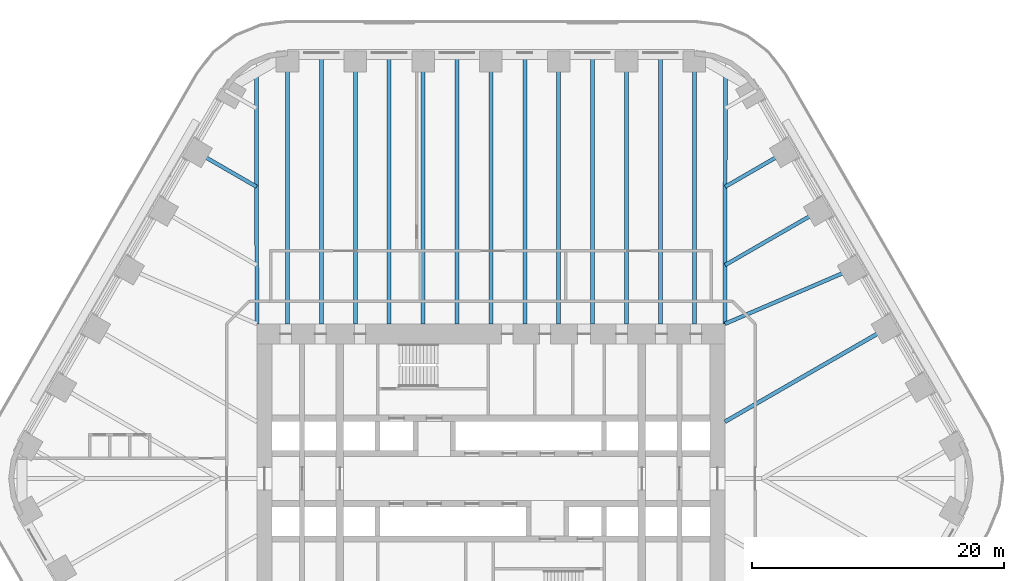
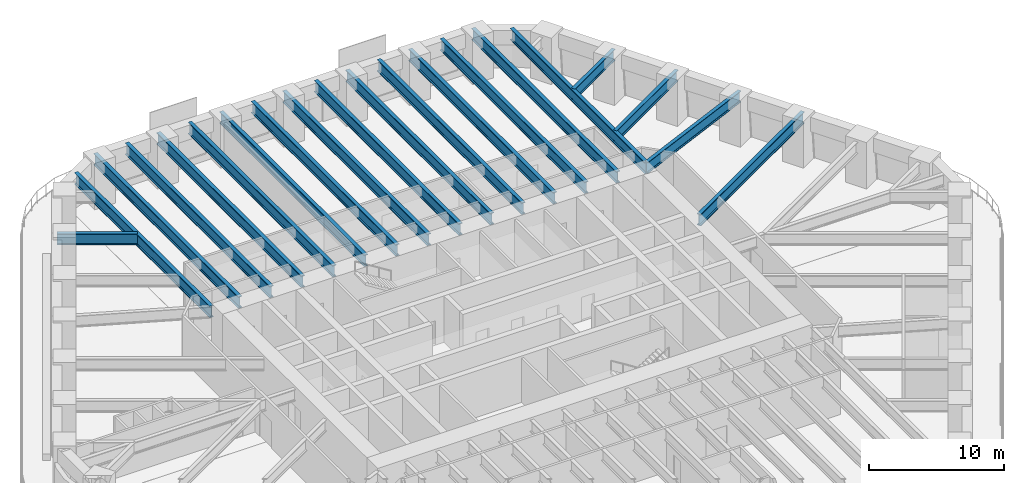
# One storey, part 10 of 23: 20 beams.
"""IFC4 building model written with IfcOpenShell, lengths in metres."""

from ifc_helpers import new_model, si_unit, direction, frame, origin, origin_2d, place, context, subcontext, project, spatial, i_section, extrude, material, material_profile, profile_set, type_object, element, save


model = new_model("IFC4")

# Units and contexts
model_context = context("Model", 3, precision=1e-05, world=origin(), true_north=direction((0.0, 1.0)))
body_context = subcontext(model_context, "Body", "Model", "MODEL_VIEW")
ifc_project = project(units=[si_unit("LENGTHUNIT", "METRE"), si_unit("AREAUNIT", "SQUARE_METRE"), si_unit("VOLUMEUNIT", "CUBIC_METRE"), si_unit("PLANEANGLEUNIT", "RADIAN"), si_unit("MASSUNIT", "GRAM", prefix="KILO")], contexts=[model_context])

# Site, building, storey
site_placement = place(None, origin())
site = spatial("IfcSite", under=ifc_project, at=site_placement, CompositionType="ELEMENT")
building_placement = place(site_placement, origin())
building = spatial("IfcBuilding", under=site, at=building_placement, Name="Tarfa Lantern Tower", CompositionType="ELEMENT")
storey_placement = place(building_placement, frame((0.0, 0.0, 86.5)))
storey = spatial("IfcBuildingStorey", under=building, at=storey_placement, Name="L19", CompositionType="ELEMENT", Elevation=86.5)

# Beams
ifc_material = material(Name="Steel S460M", Category="steel")
ifc_material_profile_1 = material_profile(ifc_material, i_section(OverallWidth=0.302001953125, OverallDepth=1.008056640625, WebThickness=0.02099609375, FlangeThickness=0.0400390625, FilletRadius=0.030029296875, at=origin_2d()), Name="UB1016x305x349")
ifc_profile_set_1 = profile_set([ifc_material_profile_1], Name="Steel S460M")
beam_type_1 = type_object("IfcBeamType", Name="UB1016x305x349", PredefinedType="BEAM", material=ifc_profile_set_1)
beam_1_placement = place(storey_placement, frame((29.202392578125, 16.860107421875, 3.495849609375), z_axis=(-0.918635483867, -0.395106122175, 0.0), x_axis=(0.395106122175, -0.918635483867, 0.0)))
element("IfcBeam", 1, at=beam_1_placement, inside=storey, type_object=beam_type_1, Name="Floor beam NE3", PredefinedType="BEAM", context=body_context, shape_type="SweptSolid", body=[
    extrude(i_section(OverallWidth=0.302001953125, OverallDepth=1.008056640625, WebThickness=0.02099609375, FlangeThickness=0.0400390625, FilletRadius=0.030029296875, at=origin_2d()), origin(), (0.0, 0.0, 1.0), 11.541259765625),
])
beam_2_placement = place(storey_placement, frame((26.508056640625, 21.526611328125, 3.495849609375), z_axis=(-0.866035355799, -0.49998276221, 0.0), x_axis=(0.49998276221, -0.866035355799, 0.0)))
element("IfcBeam", 2, at=beam_2_placement, inside=storey, type_object=beam_type_1, Name="Floor beam NE4", PredefinedType="BEAM", context=body_context, shape_type="SweptSolid", body=[
    extrude(i_section(OverallWidth=0.302001953125, OverallDepth=1.008056640625, WebThickness=0.02099609375, FlangeThickness=0.0400390625, FilletRadius=0.030029296875, at=origin_2d()), origin(), (0.0, 0.0, 1.0), 9.119873046875),
])
for number, where, z_axis, x_axis, name in (
    (3, (23.813720703125, 26.193359375, 3.495849609375), (-0.866015997389, -0.500016292001, 0.0), (0.500016292001, -0.866015997389, 0.0), "Floor beam NE5"),
    (4, (-23.813720703125, 26.193359375, 3.495849609375), (0.866015997389, -0.500016292001, 0.0), (0.500016292001, 0.866015997389, 0.0), "Floor beam NW1"),
):
    element("IfcBeam", number, at=place(storey_placement, frame(where, z_axis=z_axis, x_axis=x_axis)), inside=storey, type_object=beam_type_1, Name=name, PredefinedType="BEAM", context=body_context, shape_type="SweptSolid", body=[
        extrude(i_section(OverallWidth=0.302001953125, OverallDepth=1.008056640625, WebThickness=0.02099609375, FlangeThickness=0.0400390625, FilletRadius=0.030029296875, at=origin_2d()), origin(), (0.0, 0.0, 1.0), 5.993408203125),
    ])
ifc_material_profile_2 = material_profile(ifc_material, i_section(OverallWidth=0.314208984375, OverallDepth=1.055908203125, WebThickness=0.035888671875, FlangeThickness=0.06396484375, FilletRadius=0.030029296875, at=origin_2d()), Name="UB1016x305x584")
ifc_profile_set_2 = profile_set([ifc_material_profile_2], Name="Steel S460M")
beam_type_2 = type_object("IfcBeamType", Name="UB1016x305x584", PredefinedType="BEAM", material=ifc_profile_set_2)
for number, where, z_axis, x_axis, name in (
    (5, (18.60009765625, 12.300048828125, 3.471923828125), (0.00212508222, 0.99999774201, 0.0), (-0.99999774201, 0.00212508222, 0.0), "Hip girder NE"),
    (6, (-18.60009765625, 12.300048828125, 3.471923828125), (-0.00212508222, 0.99999774201, 0.0), (-0.99999774201, -0.00212508222, 0.0), "Hip girder NW"),
):
    element("IfcBeam", number, at=place(storey_placement, frame(where, z_axis=z_axis, x_axis=x_axis)), inside=storey, type_object=beam_type_2, Name=name, PredefinedType="BEAM", context=body_context, shape_type="SweptSolid", body=[
        extrude(i_section(OverallWidth=0.314208984375, OverallDepth=1.055908203125, WebThickness=0.035888671875, FlangeThickness=0.06396484375, FilletRadius=0.030029296875, at=origin_2d()), origin(), (0.0, 0.0, 1.0), 19.989990234375),
    ])
beam_3_placement = place(storey_placement, frame((31.896728515625, 12.193359375, 3.471923828125), z_axis=(-0.866026971665, -0.499997284341, 0.0), x_axis=(0.499997284341, -0.866026971665, 0.0)))
element("IfcBeam", 7, at=beam_3_placement, inside=storey, type_object=beam_type_2, Name="Floor beam NE2", PredefinedType="BEAM", context=body_context, shape_type="SweptSolid", body=[
    extrude(i_section(OverallWidth=0.314208984375, OverallDepth=1.055908203125, WebThickness=0.035888671875, FlangeThickness=0.06396484375, FilletRadius=0.030029296875, at=origin_2d()), origin(), (0.0, 0.0, 1.0), 15.353515625),
])
for number, where, z_axis, x_axis, name in (
    (8, (16.165771484375, 33.719970703125, 3.471923828125), (0.0, -1.0, 0.0), (1.0, 0.0, 0.0), "Floor beam N0"),
    (9, (10.777099609375, 33.719970703125, 3.471923828125), (0.0, -1.0, 0.0), (1.0, 0.0, 0.0), "Floor beam N1"),
    (10, (5.388671875, 33.719970703125, 3.471923828125), (0.0, -1.0, 0.0), (1.0, 0.0, 0.0), "Floor beam N2"),
    (11, (0.0, 33.719970703125, 3.471923828125), (0.0, -1.0, 0.0), (1.0, 0.0, 0.0), "Floor beam N3"),
    (12, (-5.388671875, 33.719970703125, 3.471923828125), (0.0, -1.0, 0.0), (1.0, 0.0, 0.0), "Floor beam N4"),
    (13, (-10.777099609375, 33.719970703125, 3.471923828125), (0.0, -1.0, 0.0), (1.0, 0.0, 0.0), "Floor beam N5"),
    (14, (-16.165771484375, 33.719970703125, 3.471923828125), (0.0, -1.0, 0.0), (1.0, 0.0, 0.0), "Floor beam N6"),
    (15, (13.471435546875, 33.719970703125, 3.471923828125), (0.0, -1.0, 0.0), (1.0, 0.0, 0.0), "Floor beam N0M"),
    (16, (8.0830078125, 33.719970703125, 3.471923828125), (0.0, -1.0, 0.0), (1.0, 0.0, 0.0), "Floor beam N1M"),
    (17, (2.6943359375, 33.719970703125, 3.471923828125), (0.0, -1.0, 0.0), (1.0, 0.0, 0.0), "Floor beam N2M"),
    (18, (-2.6943359375, 33.719970703125, 3.471923828125), (0.0, -1.0, 0.0), (1.0, 0.0, 0.0), "Floor beam N3M"),
    (19, (-8.0830078125, 33.719970703125, 3.471923828125), (0.0, -1.0, 0.0), (1.0, 0.0, 0.0), "Floor beam N4M"),
    (20, (-13.471435546875, 33.719970703125, 3.471923828125), (0.0, -1.0, 0.0), (1.0, 0.0, 0.0), "Floor beam N5M"),
):
    element("IfcBeam", number, at=place(storey_placement, frame(where, z_axis=z_axis, x_axis=x_axis)), inside=storey, type_object=beam_type_2, Name=name, PredefinedType="BEAM", context=body_context, shape_type="SweptSolid", body=[
        extrude(i_section(OverallWidth=0.314208984375, OverallDepth=1.055908203125, WebThickness=0.035888671875, FlangeThickness=0.06396484375, FilletRadius=0.030029296875, at=origin_2d()), origin(), (0.0, 0.0, 1.0), 21.419921875),
    ])

save(model, "model.ifc")
